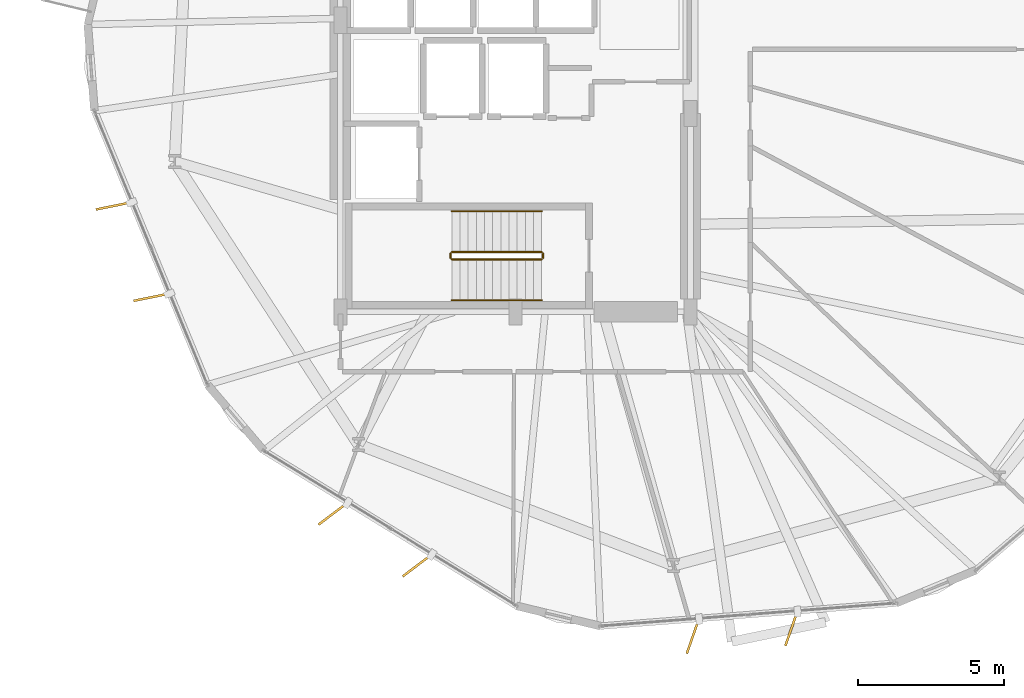
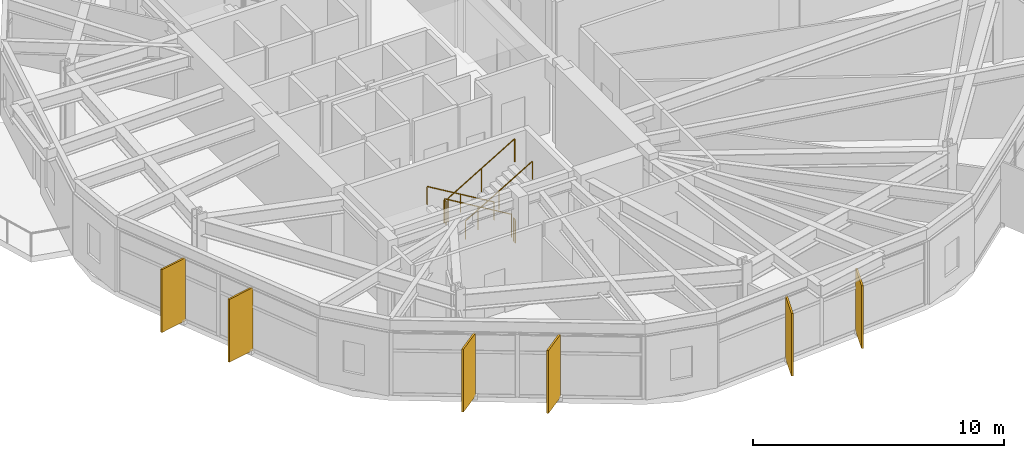
# One storey, part 20 of 22: 6 railings, 6 shading devices.
"""IFC4 building model written with IfcOpenShell, lengths in metres."""

import ifcopenshell
import ifcopenshell.guid

model = None  # the IFC model being written
_history = None  # IfcOwnerHistory: only IFC2X3 demands one
_inside = {}  # id of a spatial element -> (the spatial element, [elements in it])
_under = {}  # id of a project, library or spatial element -> (it, [spatial elements below it])
_declared = {}  # id of a project -> (the project, [libraries it declares])
_typed = {}  # id of a type object -> (the type object, [elements of that type])
_made_of = {}  # id of a material, layer set ... -> (it, [elements and type objects made of it])


def new_model(schema):
    """Start an empty IFC model of exactly this schema.

    Asked for "IFC4X3", IfcOpenShell would pick the latest addendum, in which some entities
    have other attributes; the version numbers below select the first issue.
    IFC2X3 requires an IfcOwnerHistory on every rooted entity: one is made here for all.
    """
    global model, _history
    if schema == "IFC4X3":
        model = ifcopenshell.file(schema_version=(4, 3, 0, 0))
    else:
        model = ifcopenshell.file(schema=schema)
    _inside.clear()
    _under.clear()
    _declared.clear()
    _typed.clear()
    _made_of.clear()
    _history = None
    if model.schema == "IFC2X3":
        org = make("IfcOrganization", Name="unknown")
        user = make(
            "IfcPersonAndOrganization",
            ThePerson=make("IfcPerson", FamilyName="unknown"),
            TheOrganization=org,
        )
        app = make(
            "IfcApplication",
            ApplicationDeveloper=org,
            Version="unknown",
            ApplicationFullName="unknown",
            ApplicationIdentifier="unknown",
        )
        _history = make(
            "IfcOwnerHistory",
            OwningUser=user,
            OwningApplication=app,
            ChangeAction="ADDED",
            CreationDate=0,
        )
    return model


def make(cls, **values):
    """One entity of the class cls with the attributes given. An attribute that is None is left unset."""
    return model.create_entity(
        cls, **{name: value for name, value in values.items() if value is not None}
    )


def rooted(cls, **values):
    """An entity with a GlobalId (a new one), such as an element, a storey or a relation."""
    return make(cls, GlobalId=ifcopenshell.guid.new(), OwnerHistory=_history, **values)


def si_unit(unit_type, name, prefix=None):
    """IfcSIUnit, for example si_unit("LENGTHUNIT", "METRE", prefix="MILLI")."""
    return make("IfcSIUnit", UnitType=unit_type, Prefix=prefix, Name=name)


def assignment(units):
    """IfcUnitAssignment: the units of a project."""
    return None if units is None else make("IfcUnitAssignment", Units=units)


def point(xyz):
    """IfcCartesianPoint."""
    return None if xyz is None else make("IfcCartesianPoint", Coordinates=xyz)


def direction(xyz):
    """IfcDirection."""
    return None if xyz is None else make("IfcDirection", DirectionRatios=xyz)


def frame(location, z_axis=None, x_axis=None):
    """IfcAxis2Placement3D, a coordinate frame: its origin and axes. An axis left out is left unset."""
    return make(
        "IfcAxis2Placement3D",
        Location=point(location),
        Axis=direction(z_axis),
        RefDirection=direction(x_axis),
    )


def frame_2d(location, x_axis=None):
    """IfcAxis2Placement2D, a coordinate frame in the plane: its origin and x axis."""
    return make(
        "IfcAxis2Placement2D", Location=point(location), RefDirection=direction(x_axis)
    )


def origin():
    """The frame at (0, 0, 0) with its axes left unset."""
    return frame((0.0, 0.0, 0.0))


def origin_2d():
    """The frame at (0, 0) in the plane with its x axis left unset."""
    return frame_2d((0.0, 0.0))


def place(relative_to, where):
    """IfcLocalPlacement: puts the frame where relative to a parent placement (None: the world)."""
    return make(
        "IfcLocalPlacement", PlacementRelTo=relative_to, RelativePlacement=where
    )


def context(
    kind, dimensions, precision=None, world=None, true_north=None, identifier=None
):
    """IfcGeometricRepresentationContext, for example the 3D "Model" context."""
    return make(
        "IfcGeometricRepresentationContext",
        ContextIdentifier=identifier,
        ContextType=kind,
        CoordinateSpaceDimension=dimensions,
        Precision=precision,
        WorldCoordinateSystem=world,
        TrueNorth=true_north,
    )


def subcontext(parent, identifier, kind, view, scale=None):
    """IfcGeometricRepresentationSubContext, for example "Body" below "Model"."""
    return make(
        "IfcGeometricRepresentationSubContext",
        ContextIdentifier=identifier,
        ContextType=kind,
        ParentContext=parent,
        TargetScale=scale,
        TargetView=view,
    )


def project(units=None, contexts=None):
    """IfcProject with its units and contexts."""
    return rooted(
        "IfcProject",
        Name="project",
        RepresentationContexts=contexts,
        UnitsInContext=assignment(units),
    )


def spatial(cls, under=None, at=None, **own):
    """A site, building, storey or space (cls), placed at a placement, below another one or the project."""
    s = rooted(cls, ObjectPlacement=at, **own)
    if under is not None:
        _under.setdefault(under.id(), (under, []))[1].append(s)
    return s


def profile(cls, at=None, kind="AREA", **sizes):
    """A parametric profile (cls). Its sizes go by their IFC names, for example OverallWidth=200.0."""
    return make(cls, ProfileType=kind, Position=at, **sizes)


def rectangle(**sizes):
    """IfcRectangleProfileDef."""
    return profile("IfcRectangleProfileDef", **sizes)


def circle(**sizes):
    """IfcCircleProfileDef."""
    return profile("IfcCircleProfileDef", **sizes)


def extrude(swept, where, along, depth):
    """IfcExtrudedAreaSolid: the profile swept, set in the frame where, extruded along a direction by depth."""
    return make(
        "IfcExtrudedAreaSolid",
        SweptArea=swept,
        Position=where,
        ExtrudedDirection=direction(along),
        Depth=depth,
    )


def shape(context_of_items, identifier, shape_type, items):
    """IfcShapeRepresentation: the items that make up one representation, for example the "Body"."""
    return make(
        "IfcShapeRepresentation",
        ContextOfItems=context_of_items,
        RepresentationIdentifier=identifier,
        RepresentationType=shape_type,
        Items=items,
    )


def material(Name=None, Category=None):
    """IfcMaterial."""
    return make("IfcMaterial", Name=Name, Category=Category)


def layer(
    of_material, thickness, ventilated=None, Name=None, Category=None, Priority=None
):
    """IfcMaterialLayer: one layer of a wall or slab, of a material (None: an air gap)."""
    return make(
        "IfcMaterialLayer",
        Material=of_material,
        LayerThickness=thickness,
        IsVentilated=ventilated,
        Name=Name,
        Category=Category,
        Priority=Priority,
    )


def layer_set(layers, Name=None):
    """IfcMaterialLayerSet."""
    return make("IfcMaterialLayerSet", MaterialLayers=layers, LayerSetName=Name)


def made_of(thing, what):
    """Note that an element or type object is made of a material, layer set ...; save() writes the relation."""
    if what is not None:
        _made_of.setdefault(what.id(), (what, []))[1].append(thing)
    return thing


def type_object(cls, material=None, **own):
    """A type object (cls), such as IfcWallType, which elements share."""
    return made_of(rooted(cls, **own), material)


def element(
    cls,
    number,
    at=None,
    inside=None,
    cuts=None,
    type_object=None,
    material=None,
    context=None,
    identifier="Body",
    shape_type=None,
    held_by="IfcProductDefinitionShape",
    body=None,
    shapes=None,
    **own,
):
    """One element of the class cls, such as IfcWall. Its Tag is "e" and its number.

    at: its placement. inside: the storey or other place that contains it. cuts: it is an
    opening in that element (IfcRelVoidsElement). A single representation is given by context,
    identifier, shape_type and body (its items); several are given by shapes. held_by: the class
    of the entity that holds the representations. save() writes the other relations.
    """
    e = rooted(cls, Tag="e%d" % number, ObjectPlacement=at, **own)
    if body is not None:
        shapes = [shape(context, identifier, shape_type, body)]
    if shapes is not None:
        e.Representation = make(held_by, Representations=shapes)
    if inside is not None:
        _inside.setdefault(inside.id(), (inside, []))[1].append(e)
    if cuts is not None:
        rooted(
            "IfcRelVoidsElement", RelatingBuildingElement=cuts, RelatedOpeningElement=e
        )
    if type_object is not None:
        _typed.setdefault(type_object.id(), (type_object, []))[1].append(e)
    return made_of(e, material)


def aggregate(whole, parts):
    """IfcRelAggregates: a whole, such as a stair, and the parts it consists of."""
    return rooted("IfcRelAggregates", RelatingObject=whole, RelatedObjects=parts)


def save(model, path):
    """Write the relations noted so far, then the file.

    IfcRelAggregates (storeys below a building ...), IfcRelContainedInSpatialStructure (elements
    in a storey), IfcRelDefinesByType, IfcRelAssociatesMaterial and IfcRelDeclares: one each for
    every whole, place, type object, material and project.
    """
    for whole, parts in _under.values():
        aggregate(whole, parts)
    for where, things in _inside.values():
        rooted(
            "IfcRelContainedInSpatialStructure",
            RelatedElements=things,
            RelatingStructure=where,
        )
    for kind, things in _typed.values():
        rooted("IfcRelDefinesByType", RelatedObjects=things, RelatingType=kind)
    for what, things in _made_of.values():
        rooted("IfcRelAssociatesMaterial", RelatedObjects=things, RelatingMaterial=what)
    for by, libraries in _declared.values():
        rooted("IfcRelDeclares", RelatingContext=by, RelatedDefinitions=libraries)
    model.write(path)


model = new_model("IFC4")

# Units and contexts
model_context = context("Model", 3, precision=1e-05, world=origin(), true_north=direction((0.0, 1.0)))
body_context = subcontext(model_context, "Body", "Model", "MODEL_VIEW")
ifc_project = project(units=[si_unit("LENGTHUNIT", "METRE"), si_unit("AREAUNIT", "SQUARE_METRE"), si_unit("VOLUMEUNIT", "CUBIC_METRE"), si_unit("PLANEANGLEUNIT", "RADIAN"), si_unit("MASSUNIT", "GRAM", prefix="KILO")], contexts=[model_context])

# Site, building, storey
site_placement = place(None, origin())
site = spatial("IfcSite", under=ifc_project, at=site_placement, CompositionType="ELEMENT")
building_placement = place(site_placement, origin())
building = spatial("IfcBuilding", under=site, at=building_placement, Name="Soratama Intermodal Tower", CompositionType="ELEMENT")
storey_placement = place(building_placement, frame((0.0, 0.0, 50.60009765625)))
storey = spatial("IfcBuildingStorey", under=building, at=storey_placement, Name="L11", CompositionType="ELEMENT", Elevation=50.60009765625)

# Railings
ifc_material_1 = material(Name="Painted steel stair guardrail", Category="steel")
railing_type_1 = type_object("IfcRailingType", Name="RL-STAIR-GUARD", PredefinedType="GUARDRAIL", material=ifc_material_1)
railing_1_placement = place(storey_placement, frame((39.5, 17.050048828125, 0.16650390625)))
element("IfcRailing", 1, at=railing_1_placement, inside=storey, type_object=railing_type_1, Name="L11 ST-1 stair guard 1", PredefinedType="GUARDRAIL", context=body_context, shape_type="SweptSolid", body=[
    extrude(circle(Radius=0.02392578125, at=origin_2d()), frame((0.0, 0.0, 1.1259765625), z_axis=(-0.85927862911, 0.0, 0.511507807912), x_axis=(0.0, -1.0, 0.0)), (0.0, 0.0, 1.0), 3.58447265625),
    extrude(circle(Radius=0.02099609375, at=origin_2d()), origin(), (0.0, 0.0, 1.0), 1.101806640625),
    extrude(circle(Radius=0.02099609375, at=origin_2d()), frame((-1.5400390625, 0.0, 0.916748046875)), (0.0, 0.0, 1.0), 1.101806640625),
    extrude(circle(Radius=0.02099609375, at=origin_2d()), frame((-3.080078125, 0.0, 1.83349609375)), (0.0, 0.0, 1.0), 1.101806640625),
])
railing_2_placement = place(storey_placement, frame((36.3701171875, 17.0, 2.0)))
element("IfcRailing", 2, at=railing_2_placement, inside=storey, type_object=railing_type_1, Name="L11 ST-1 stair guard 2", PredefinedType="GUARDRAIL", context=body_context, shape_type="SweptSolid", body=[
    extrude(circle(Radius=0.02392578125, at=origin_2d()), frame((0.0, 0.0, 1.1259765625), z_axis=(0.0, -1.0, 0.0), x_axis=(1.0, 0.0, 0.0)), (0.0, 0.0, 1.0), 0.14990234375),
    extrude(circle(Radius=0.02099609375, at=origin_2d()), origin(), (0.0, 0.0, 1.0), 1.101806640625),
    extrude(circle(Radius=0.02099609375, at=origin_2d()), frame((0.0, -0.14990234375, 0.0)), (0.0, 0.0, 1.0), 1.101806640625),
])
railing_3_placement = place(storey_placement, frame((36.419921875, 16.800048828125, 2.16650390625)))
element("IfcRailing", 3, at=railing_3_placement, inside=storey, type_object=railing_type_1, Name="L11 ST-1 stair guard 3", PredefinedType="GUARDRAIL", context=body_context, shape_type="SweptSolid", body=[
    extrude(circle(Radius=0.02392578125, at=origin_2d()), frame((0.0, 0.0, 1.1259765625), z_axis=(0.85927862911, 0.0, 0.511507807912), x_axis=(0.0, 1.0, 0.0)), (0.0, 0.0, 1.0), 3.58447265625),
    extrude(circle(Radius=0.02099609375, at=origin_2d()), origin(), (0.0, 0.0, 1.0), 1.101806640625),
    extrude(circle(Radius=0.02099609375, at=origin_2d()), frame((1.5400390625, 0.0, 0.916748046875)), (0.0, 0.0, 1.0), 1.101806640625),
    extrude(circle(Radius=0.02099609375, at=origin_2d()), frame((3.080078125, 0.0, 1.83349609375)), (0.0, 0.0, 1.0), 1.101806640625),
])
railing_4_placement = place(storey_placement, frame((39.550048828125, 17.0, 0.0)))
element("IfcRailing", 4, at=railing_4_placement, inside=storey, type_object=railing_type_1, Name="L11 ST-1 stair guard 4", PredefinedType="GUARDRAIL", context=body_context, shape_type="SweptSolid", body=[
    extrude(circle(Radius=0.02392578125, at=origin_2d()), frame((0.0, 0.0, 1.1259765625), z_axis=(0.0, -1.0, 0.0), x_axis=(1.0, 0.0, 0.0)), (0.0, 0.0, 1.0), 0.14990234375),
    extrude(circle(Radius=0.02099609375, at=origin_2d()), origin(), (0.0, 0.0, 1.0), 1.101806640625),
    extrude(circle(Radius=0.02099609375, at=origin_2d()), frame((0.0, -0.14990234375, 0.0)), (0.0, 0.0, 1.0), 1.101806640625),
])
ifc_material_2 = material(Name="Brushed stainless steel handrail", Category="steel")
railing_type_2 = type_object("IfcRailingType", Name="RL-STAIR-HAND", PredefinedType="HANDRAIL", material=ifc_material_2)
railing_5_placement = place(storey_placement, frame((39.5, 18.449951171875, 0.16650390625)))
element("IfcRailing", 5, at=railing_5_placement, inside=storey, type_object=railing_type_2, Name="L11 ST-1 stair handrail 1", PredefinedType="HANDRAIL", context=body_context, shape_type="SweptSolid", body=[
    extrude(circle(Radius=0.02392578125, at=origin_2d()), frame((0.0, 0.0, 0.8759765625), z_axis=(-0.85927862911, 0.0, 0.511507807912), x_axis=(0.0, -1.0, 0.0)), (0.0, 0.0, 1.0), 3.58447265625),
    extrude(circle(Radius=0.02099609375, at=origin_2d()), origin(), (0.0, 0.0, 1.0), 0.851806640625),
    extrude(circle(Radius=0.02099609375, at=origin_2d()), frame((-1.5400390625, 0.0, 0.916748046875)), (0.0, 0.0, 1.0), 0.851806640625),
    extrude(circle(Radius=0.02099609375, at=origin_2d()), frame((-3.080078125, 0.0, 1.83349609375)), (0.0, 0.0, 1.0), 0.851806640625),
])
railing_6_placement = place(storey_placement, frame((36.419921875, 15.39990234375, 2.16650390625)))
element("IfcRailing", 6, at=railing_6_placement, inside=storey, type_object=railing_type_2, Name="L11 ST-1 stair handrail 2", PredefinedType="HANDRAIL", context=body_context, shape_type="SweptSolid", body=[
    extrude(circle(Radius=0.02392578125, at=origin_2d()), frame((0.0, 0.0, 0.8759765625), z_axis=(0.85927862911, 0.0, 0.511507807912), x_axis=(0.0, 1.0, 0.0)), (0.0, 0.0, 1.0), 3.58447265625),
    extrude(circle(Radius=0.02099609375, at=origin_2d()), origin(), (0.0, 0.0, 1.0), 0.851806640625),
    extrude(circle(Radius=0.02099609375, at=origin_2d()), frame((1.5400390625, 0.0, 0.916748046875)), (0.0, 0.0, 1.0), 0.851806640625),
    extrude(circle(Radius=0.02099609375, at=origin_2d()), frame((3.080078125, 0.0, 1.83349609375)), (0.0, 0.0, 1.0), 0.851806640625),
])

# Shading devices
ifc_material_3 = material(Name="Champagne anodised aluminium solar fin", Category="aluminium")
ifc_layer = layer(ifc_material_3, 0.080078125)
ifc_layer_set = layer_set([ifc_layer], Name="Champagne anodised aluminium solar fin")
shading_device_type = type_object("IfcShadingDeviceType", Name="SH-FIN-1250", PredefinedType="USERDEFINED", material=ifc_layer_set)
for number, where, z_axis, x_axis, name in (
    (7, (24.82666015625, 18.633544921875, 0.019775390625), (0.0, 0.0, 1.0), (-0.979785280755, -0.200052002278, 0.0), "L11 Solar Fin F06-1"),
    (8, (26.1201171875, 15.501708984375, 0.019775390625), (0.0, 0.0, 1.0), (-0.979785280755, -0.200052002278, 0.0), "L11 Solar Fin F06-2"),
    (9, (32.342041015625, 8.0791015625, 0.019775390625), (0.0, 0.0, 1.0), (-0.798004853043, -0.602651022168, 0.0), "L11 Solar Fin F07-1"),
    (10, (35.2294921875, 6.305419921875, 0.019775390625), (0.0, 0.0, 1.0), (-0.798004853043, -0.602651022168, 0.0), "L11 Solar Fin F07-2"),
    (11, (44.6806640625, 3.878662109375, 0.019775390625), (0.0, 0.0, 1.0), (-0.329855414859, -0.944031464141, 0.0), "L11 Solar Fin F08-1"),
    (12, (48.058837890625, 4.140869140625, 0.019775390625), (0.0, 0.0, 1.0), (-0.329855414859, -0.944031464141, 0.0), "L11 Solar Fin F08-2"),
):
    element("IfcShadingDevice", number, at=place(storey_placement, frame(where, z_axis=z_axis, x_axis=x_axis)), inside=storey, type_object=shading_device_type, Name=name, ObjectType="FIN", PredefinedType="USERDEFINED", context=body_context, shape_type="SweptSolid", body=[
        extrude(rectangle(XDim=1.25, YDim=0.080078125, at=origin_2d()), origin(), (0.0, 0.0, 1.0), 3.05908203125),
    ])

save(model, "model.ifc")
